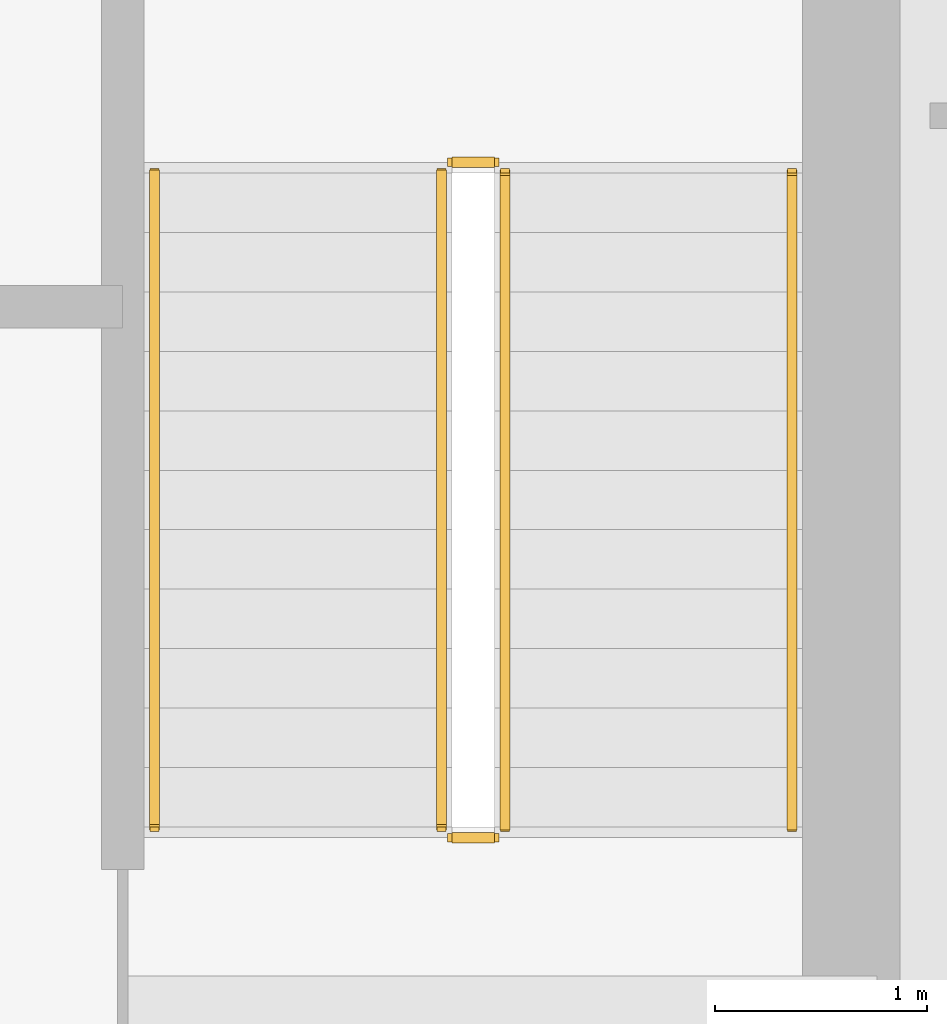
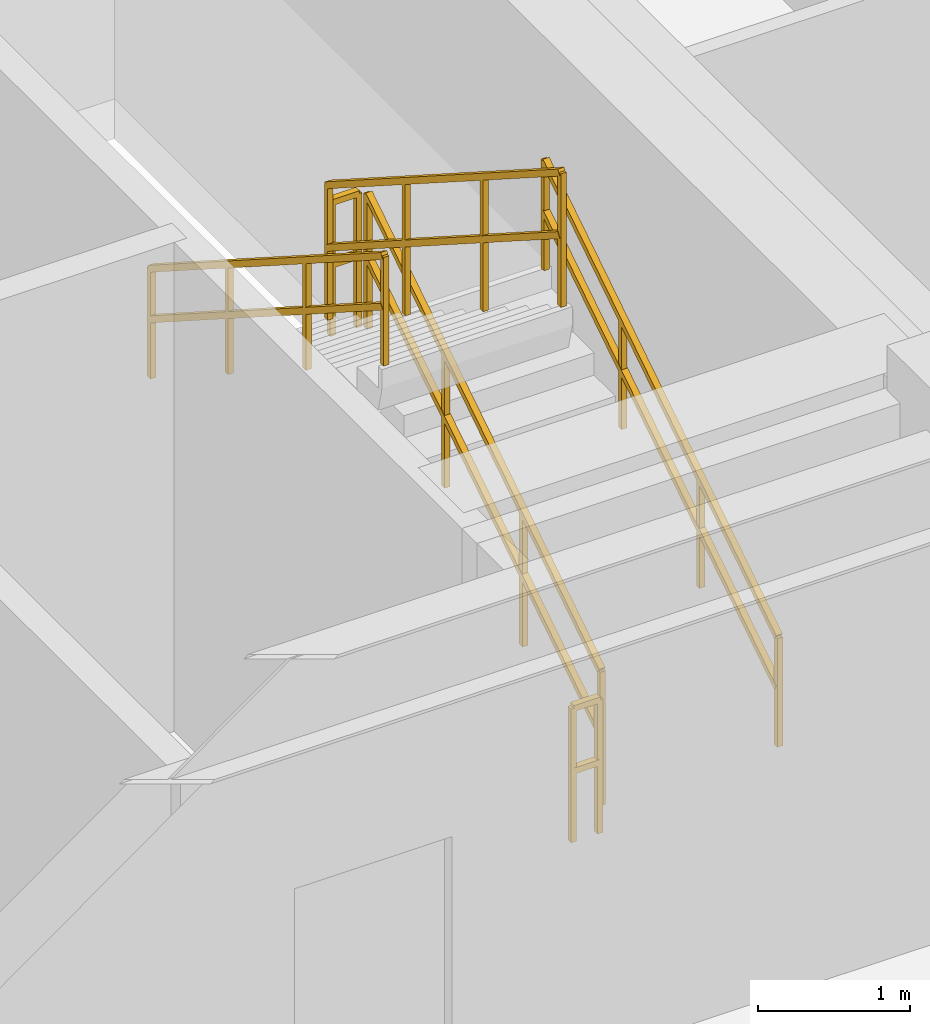
# One storey, part 8 of 8: 6 railings.
"""IFC4 building model written with IfcOpenShell, lengths in metres."""

from ifc_helpers import new_model, si_unit, direction, frame, origin, origin_2d, place, context, subcontext, project, spatial, rectangle, extrude, material, type_object, element, save


model = new_model("IFC4")

# Units and contexts
model_context = context("Model", 3, precision=1e-05, world=origin(), true_north=direction((0.0, 1.0)))
body_context = subcontext(model_context, "Body", "Model", "MODEL_VIEW")
ifc_project = project(units=[si_unit("LENGTHUNIT", "METRE"), si_unit("AREAUNIT", "SQUARE_METRE"), si_unit("VOLUMEUNIT", "CUBIC_METRE"), si_unit("PLANEANGLEUNIT", "RADIAN"), si_unit("MASSUNIT", "GRAM", prefix="KILO")], contexts=[model_context])

# Site, building, storey
site_placement = place(None, origin())
site = spatial("IfcSite", under=ifc_project, at=site_placement, CompositionType="ELEMENT")
building_placement = place(site_placement, origin())
building = spatial("IfcBuilding", under=site, at=building_placement, Name="Trelvane Seafront Commons", CompositionType="ELEMENT")
storey_placement = place(building_placement, frame((0.0, 0.0, -4.300048828125)))
storey = spatial("IfcBuildingStorey", under=building, at=storey_placement, Name="B01", CompositionType="ELEMENT", Elevation=-4.300048828125)

# Railings
ifc_material = material(Name="Stainless steel balustrade", Category="steel")
railing_type_1 = type_object("IfcRailingType", Name="ARCH-SRL-GUARD", PredefinedType="GUARDRAIL", material=ifc_material)
railing_1_placement = place(storey_placement, frame((56.800048828125, 35.550048828125, 0.17919921875)))
element("IfcRailing", 1, at=railing_1_placement, inside=storey, type_object=railing_type_1, Name="B01 ST-2 stair guard 1", PredefinedType="GUARDRAIL", context=body_context, shape_type="SweptSolid", body=[
    extrude(rectangle(XDim=0.048095703125, YDim=0.048095703125, at=origin_2d()), frame((0.0, 0.0, 1.076171875), z_axis=(0.0, 0.842289589211, 0.539025275759), x_axis=(-1.0, 0.0, 0.0)), (0.0, 0.0, 1.0), 3.656494140625),
    extrude(rectangle(XDim=0.048095703125, YDim=0.048095703125, at=origin_2d()), frame((0.0, 0.0, 0.572021484375), z_axis=(0.0, 0.842289589211, 0.539025275759), x_axis=(-1.0, 0.0, 0.0)), (0.0, 0.0, 1.0), 3.656494140625),
    extrude(rectangle(XDim=0.0419921875, YDim=0.0419921875, at=origin_2d()), origin(), (0.0, 0.0, 1.0), 1.076171875),
    extrude(rectangle(XDim=0.0419921875, YDim=0.0419921875, at=origin_2d()), frame((0.0, 1.026611328125, 0.656982421875)), (0.0, 0.0, 1.0), 1.076171875),
    extrude(rectangle(XDim=0.0419921875, YDim=0.0419921875, at=origin_2d()), frame((0.0, 2.05322265625, 1.31396484375)), (0.0, 0.0, 1.0), 1.076171875),
    extrude(rectangle(XDim=0.0419921875, YDim=0.0419921875, at=origin_2d()), frame((0.0, 3.079833984375, 1.970947265625)), (0.0, 0.0, 1.0), 1.076171875),
])
railing_2_placement = place(storey_placement, frame((56.75, 38.679931640625, 2.150146484375)))
element("IfcRailing", 2, at=railing_2_placement, inside=storey, type_object=railing_type_1, Name="B01 ST-2 stair guard 2", PredefinedType="GUARDRAIL", context=body_context, shape_type="SweptSolid", body=[
    extrude(rectangle(XDim=0.048095703125, YDim=0.048095703125, at=origin_2d()), frame((0.0, 0.0, 1.076171875), z_axis=(-1.0, 0.0, 0.0), x_axis=(0.0, -1.0, 0.0)), (0.0, 0.0, 1.0), 0.199951171875),
    extrude(rectangle(XDim=0.048095703125, YDim=0.048095703125, at=origin_2d()), frame((0.0, 0.0, 0.572021484375), z_axis=(-1.0, 0.0, 0.0), x_axis=(0.0, -1.0, 0.0)), (0.0, 0.0, 1.0), 0.199951171875),
    extrude(rectangle(XDim=0.0419921875, YDim=0.0419921875, at=origin_2d()), origin(), (0.0, 0.0, 1.0), 1.076171875),
    extrude(rectangle(XDim=0.0419921875, YDim=0.0419921875, at=origin_2d()), frame((-0.199951171875, 0.0, 0.0)), (0.0, 0.0, 1.0), 1.076171875),
])
railing_3_placement = place(storey_placement, frame((56.5, 38.6298828125, 2.3291015625)))
element("IfcRailing", 3, at=railing_3_placement, inside=storey, type_object=railing_type_1, Name="B01 ST-2 stair guard 3", PredefinedType="GUARDRAIL", context=body_context, shape_type="SweptSolid", body=[
    extrude(rectangle(XDim=0.048095703125, YDim=0.048095703125, at=origin_2d()), frame((0.0, 0.0, 1.076171875), z_axis=(0.0, -0.842289589211, 0.539025275759), x_axis=(1.0, 0.0, 0.0)), (0.0, 0.0, 1.0), 3.656494140625),
    extrude(rectangle(XDim=0.048095703125, YDim=0.048095703125, at=origin_2d()), frame((0.0, 0.0, 0.572021484375), z_axis=(0.0, -0.842289589211, 0.539025275759), x_axis=(1.0, 0.0, 0.0)), (0.0, 0.0, 1.0), 3.656494140625),
    extrude(rectangle(XDim=0.0419921875, YDim=0.0419921875, at=origin_2d()), origin(), (0.0, 0.0, 1.0), 1.076171875),
    extrude(rectangle(XDim=0.0419921875, YDim=0.0419921875, at=origin_2d()), frame((0.0, -1.026611328125, 0.656982421875)), (0.0, 0.0, 1.0), 1.076171875),
    extrude(rectangle(XDim=0.0419921875, YDim=0.0419921875, at=origin_2d()), frame((0.0, -2.05322265625, 1.31396484375)), (0.0, 0.0, 1.0), 1.076171875),
    extrude(rectangle(XDim=0.0419921875, YDim=0.0419921875, at=origin_2d()), frame((0.0, -3.079833984375, 1.970947265625)), (0.0, 0.0, 1.0), 1.076171875),
])
railing_4_placement = place(storey_placement, frame((56.75, 35.5, 0.0)))
element("IfcRailing", 4, at=railing_4_placement, inside=storey, type_object=railing_type_1, Name="B01 ST-2 stair guard 4", PredefinedType="GUARDRAIL", context=body_context, shape_type="SweptSolid", body=[
    extrude(rectangle(XDim=0.048095703125, YDim=0.048095703125, at=origin_2d()), frame((0.0, 0.0, 1.076171875), z_axis=(-1.0, 0.0, 0.0), x_axis=(0.0, -1.0, 0.0)), (0.0, 0.0, 1.0), 0.199951171875),
    extrude(rectangle(XDim=0.048095703125, YDim=0.048095703125, at=origin_2d()), frame((0.0, 0.0, 0.572021484375), z_axis=(-1.0, 0.0, 0.0), x_axis=(0.0, -1.0, 0.0)), (0.0, 0.0, 1.0), 0.199951171875),
    extrude(rectangle(XDim=0.0419921875, YDim=0.0419921875, at=origin_2d()), origin(), (0.0, 0.0, 1.0), 1.076171875),
    extrude(rectangle(XDim=0.0419921875, YDim=0.0419921875, at=origin_2d()), frame((-0.199951171875, 0.0, 0.0)), (0.0, 0.0, 1.0), 1.076171875),
])
railing_type_2 = type_object("IfcRailingType", Name="ARCH-SRL-HAND", PredefinedType="HANDRAIL", material=ifc_material)
railing_5_placement = place(storey_placement, frame((58.14990234375, 35.550048828125, 0.17919921875)))
element("IfcRailing", 5, at=railing_5_placement, inside=storey, type_object=railing_type_2, Name="B01 ST-2 stair handrail 1", PredefinedType="HANDRAIL", context=body_context, shape_type="SweptSolid", body=[
    extrude(rectangle(XDim=0.048095703125, YDim=0.048095703125, at=origin_2d()), frame((0.0, 0.0, 0.8759765625), z_axis=(0.0, 0.842289589211, 0.539025275759), x_axis=(-1.0, 0.0, 0.0)), (0.0, 0.0, 1.0), 3.656494140625),
    extrude(rectangle(XDim=0.048095703125, YDim=0.048095703125, at=origin_2d()), frame((0.0, 0.0, 0.468017578125), z_axis=(0.0, 0.842289589211, 0.539025275759), x_axis=(-1.0, 0.0, 0.0)), (0.0, 0.0, 1.0), 3.656494140625),
    extrude(rectangle(XDim=0.0419921875, YDim=0.0419921875, at=origin_2d()), origin(), (0.0, 0.0, 1.0), 0.8759765625),
    extrude(rectangle(XDim=0.0419921875, YDim=0.0419921875, at=origin_2d()), frame((0.0, 1.026611328125, 0.656982421875)), (0.0, 0.0, 1.0), 0.8759765625),
    extrude(rectangle(XDim=0.0419921875, YDim=0.0419921875, at=origin_2d()), frame((0.0, 2.05322265625, 1.31396484375)), (0.0, 0.0, 1.0), 0.8759765625),
    extrude(rectangle(XDim=0.0419921875, YDim=0.0419921875, at=origin_2d()), frame((0.0, 3.079833984375, 1.970947265625)), (0.0, 0.0, 1.0), 0.8759765625),
])
railing_6_placement = place(storey_placement, frame((55.14990234375, 38.6298828125, 2.3291015625)))
element("IfcRailing", 6, at=railing_6_placement, inside=storey, type_object=railing_type_2, Name="B01 ST-2 stair handrail 2", PredefinedType="HANDRAIL", context=body_context, shape_type="SweptSolid", body=[
    extrude(rectangle(XDim=0.048095703125, YDim=0.048095703125, at=origin_2d()), frame((0.0, 0.0, 0.8759765625), z_axis=(0.0, -0.842289589211, 0.539025275759), x_axis=(1.0, 0.0, 0.0)), (0.0, 0.0, 1.0), 3.656494140625),
    extrude(rectangle(XDim=0.048095703125, YDim=0.048095703125, at=origin_2d()), frame((0.0, 0.0, 0.468017578125), z_axis=(0.0, -0.842289589211, 0.539025275759), x_axis=(1.0, 0.0, 0.0)), (0.0, 0.0, 1.0), 3.656494140625),
    extrude(rectangle(XDim=0.0419921875, YDim=0.0419921875, at=origin_2d()), origin(), (0.0, 0.0, 1.0), 0.8759765625),
    extrude(rectangle(XDim=0.0419921875, YDim=0.0419921875, at=origin_2d()), frame((0.0, -1.026611328125, 0.656982421875)), (0.0, 0.0, 1.0), 0.8759765625),
    extrude(rectangle(XDim=0.0419921875, YDim=0.0419921875, at=origin_2d()), frame((0.0, -2.05322265625, 1.31396484375)), (0.0, 0.0, 1.0), 0.8759765625),
    extrude(rectangle(XDim=0.0419921875, YDim=0.0419921875, at=origin_2d()), frame((0.0, -3.079833984375, 1.970947265625)), (0.0, 0.0, 1.0), 0.8759765625),
])

save(model, "model.ifc")
